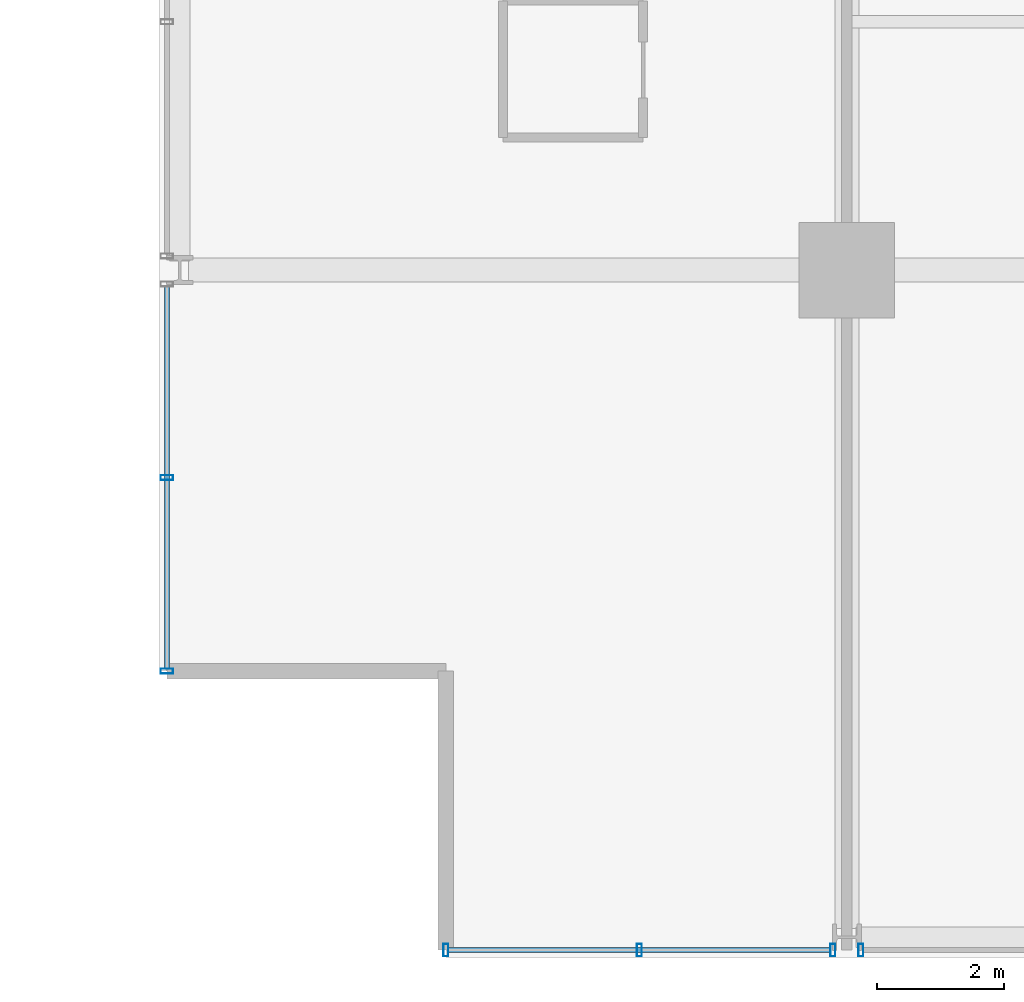
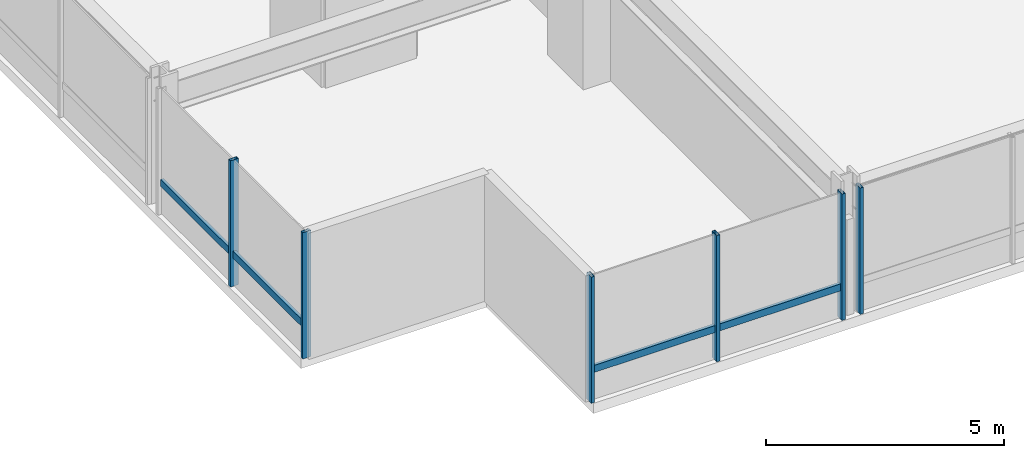
# One storey, part 2 of 33: 8 members, 3 elements without a shape of their own.
"""IFC4 building model written with IfcOpenShell, lengths in metres."""

import ifcopenshell
import ifcopenshell.guid

model = None  # the IFC model being written
_history = None  # IfcOwnerHistory: only IFC2X3 demands one
_inside = {}  # id of a spatial element -> (the spatial element, [elements in it])
_under = {}  # id of a project, library or spatial element -> (it, [spatial elements below it])
_declared = {}  # id of a project -> (the project, [libraries it declares])
_typed = {}  # id of a type object -> (the type object, [elements of that type])
_made_of = {}  # id of a material, layer set ... -> (it, [elements and type objects made of it])


def new_model(schema):
    """Start an empty IFC model of exactly this schema.

    Asked for "IFC4X3", IfcOpenShell would pick the latest addendum, in which some entities
    have other attributes; the version numbers below select the first issue.
    IFC2X3 requires an IfcOwnerHistory on every rooted entity: one is made here for all.
    """
    global model, _history
    if schema == "IFC4X3":
        model = ifcopenshell.file(schema_version=(4, 3, 0, 0))
    else:
        model = ifcopenshell.file(schema=schema)
    _inside.clear()
    _under.clear()
    _declared.clear()
    _typed.clear()
    _made_of.clear()
    _history = None
    if model.schema == "IFC2X3":
        org = make("IfcOrganization", Name="unknown")
        user = make(
            "IfcPersonAndOrganization",
            ThePerson=make("IfcPerson", FamilyName="unknown"),
            TheOrganization=org,
        )
        app = make(
            "IfcApplication",
            ApplicationDeveloper=org,
            Version="unknown",
            ApplicationFullName="unknown",
            ApplicationIdentifier="unknown",
        )
        _history = make(
            "IfcOwnerHistory",
            OwningUser=user,
            OwningApplication=app,
            ChangeAction="ADDED",
            CreationDate=0,
        )
    return model


def make(cls, **values):
    """One entity of the class cls with the attributes given. An attribute that is None is left unset."""
    return model.create_entity(
        cls, **{name: value for name, value in values.items() if value is not None}
    )


def rooted(cls, **values):
    """An entity with a GlobalId (a new one), such as an element, a storey or a relation."""
    return make(cls, GlobalId=ifcopenshell.guid.new(), OwnerHistory=_history, **values)


def si_unit(unit_type, name, prefix=None):
    """IfcSIUnit, for example si_unit("LENGTHUNIT", "METRE", prefix="MILLI")."""
    return make("IfcSIUnit", UnitType=unit_type, Prefix=prefix, Name=name)


def assignment(units):
    """IfcUnitAssignment: the units of a project."""
    return None if units is None else make("IfcUnitAssignment", Units=units)


def point(xyz):
    """IfcCartesianPoint."""
    return None if xyz is None else make("IfcCartesianPoint", Coordinates=xyz)


def direction(xyz):
    """IfcDirection."""
    return None if xyz is None else make("IfcDirection", DirectionRatios=xyz)


def frame(location, z_axis=None, x_axis=None):
    """IfcAxis2Placement3D, a coordinate frame: its origin and axes. An axis left out is left unset."""
    return make(
        "IfcAxis2Placement3D",
        Location=point(location),
        Axis=direction(z_axis),
        RefDirection=direction(x_axis),
    )


def frame_2d(location, x_axis=None):
    """IfcAxis2Placement2D, a coordinate frame in the plane: its origin and x axis."""
    return make(
        "IfcAxis2Placement2D", Location=point(location), RefDirection=direction(x_axis)
    )


def origin():
    """The frame at (0, 0, 0) with its axes left unset."""
    return frame((0.0, 0.0, 0.0))


def origin_2d():
    """The frame at (0, 0) in the plane with its x axis left unset."""
    return frame_2d((0.0, 0.0))


def place(relative_to, where):
    """IfcLocalPlacement: puts the frame where relative to a parent placement (None: the world)."""
    return make(
        "IfcLocalPlacement", PlacementRelTo=relative_to, RelativePlacement=where
    )


def context(
    kind, dimensions, precision=None, world=None, true_north=None, identifier=None
):
    """IfcGeometricRepresentationContext, for example the 3D "Model" context."""
    return make(
        "IfcGeometricRepresentationContext",
        ContextIdentifier=identifier,
        ContextType=kind,
        CoordinateSpaceDimension=dimensions,
        Precision=precision,
        WorldCoordinateSystem=world,
        TrueNorth=true_north,
    )


def subcontext(parent, identifier, kind, view, scale=None):
    """IfcGeometricRepresentationSubContext, for example "Body" below "Model"."""
    return make(
        "IfcGeometricRepresentationSubContext",
        ContextIdentifier=identifier,
        ContextType=kind,
        ParentContext=parent,
        TargetScale=scale,
        TargetView=view,
    )


def project(units=None, contexts=None):
    """IfcProject with its units and contexts."""
    return rooted(
        "IfcProject",
        Name="project",
        RepresentationContexts=contexts,
        UnitsInContext=assignment(units),
    )


def spatial(cls, under=None, at=None, **own):
    """A site, building, storey or space (cls), placed at a placement, below another one or the project."""
    s = rooted(cls, ObjectPlacement=at, **own)
    if under is not None:
        _under.setdefault(under.id(), (under, []))[1].append(s)
    return s


def profile(cls, at=None, kind="AREA", **sizes):
    """A parametric profile (cls). Its sizes go by their IFC names, for example OverallWidth=200.0."""
    return make(cls, ProfileType=kind, Position=at, **sizes)


def hollow_rectangle(**sizes):
    """IfcRectangleHollowProfileDef."""
    return profile("IfcRectangleHollowProfileDef", **sizes)


def extrude(swept, where, along, depth):
    """IfcExtrudedAreaSolid: the profile swept, set in the frame where, extruded along a direction by depth."""
    return make(
        "IfcExtrudedAreaSolid",
        SweptArea=swept,
        Position=where,
        ExtrudedDirection=direction(along),
        Depth=depth,
    )


def shape(context_of_items, identifier, shape_type, items):
    """IfcShapeRepresentation: the items that make up one representation, for example the "Body"."""
    return make(
        "IfcShapeRepresentation",
        ContextOfItems=context_of_items,
        RepresentationIdentifier=identifier,
        RepresentationType=shape_type,
        Items=items,
    )


def material(Name=None, Category=None):
    """IfcMaterial."""
    return make("IfcMaterial", Name=Name, Category=Category)


def layer(
    of_material, thickness, ventilated=None, Name=None, Category=None, Priority=None
):
    """IfcMaterialLayer: one layer of a wall or slab, of a material (None: an air gap)."""
    return make(
        "IfcMaterialLayer",
        Material=of_material,
        LayerThickness=thickness,
        IsVentilated=ventilated,
        Name=Name,
        Category=Category,
        Priority=Priority,
    )


def layer_set(layers, Name=None):
    """IfcMaterialLayerSet."""
    return make("IfcMaterialLayerSet", MaterialLayers=layers, LayerSetName=Name)


def material_profile(
    of_material, cross_section, Name=None, Category=None, Priority=None
):
    """IfcMaterialProfile: a cross section and its material."""
    return make(
        "IfcMaterialProfile",
        Name=Name,
        Material=of_material,
        Profile=cross_section,
        Priority=Priority,
        Category=Category,
    )


def profile_set(profiles, Name=None, composite=None):
    """IfcMaterialProfileSet."""
    return make(
        "IfcMaterialProfileSet",
        Name=Name,
        MaterialProfiles=profiles,
        CompositeProfile=composite,
    )


def made_of(thing, what):
    """Note that an element or type object is made of a material, layer set ...; save() writes the relation."""
    if what is not None:
        _made_of.setdefault(what.id(), (what, []))[1].append(thing)
    return thing


def type_object(cls, material=None, **own):
    """A type object (cls), such as IfcWallType, which elements share."""
    return made_of(rooted(cls, **own), material)


def element(
    cls,
    number,
    at=None,
    inside=None,
    cuts=None,
    type_object=None,
    material=None,
    context=None,
    identifier="Body",
    shape_type=None,
    held_by="IfcProductDefinitionShape",
    body=None,
    shapes=None,
    **own,
):
    """One element of the class cls, such as IfcWall. Its Tag is "e" and its number.

    at: its placement. inside: the storey or other place that contains it. cuts: it is an
    opening in that element (IfcRelVoidsElement). A single representation is given by context,
    identifier, shape_type and body (its items); several are given by shapes. held_by: the class
    of the entity that holds the representations. save() writes the other relations.
    """
    e = rooted(cls, Tag="e%d" % number, ObjectPlacement=at, **own)
    if body is not None:
        shapes = [shape(context, identifier, shape_type, body)]
    if shapes is not None:
        e.Representation = make(held_by, Representations=shapes)
    if inside is not None:
        _inside.setdefault(inside.id(), (inside, []))[1].append(e)
    if cuts is not None:
        rooted(
            "IfcRelVoidsElement", RelatingBuildingElement=cuts, RelatedOpeningElement=e
        )
    if type_object is not None:
        _typed.setdefault(type_object.id(), (type_object, []))[1].append(e)
    return made_of(e, material)


def aggregate(whole, parts):
    """IfcRelAggregates: a whole, such as a stair, and the parts it consists of."""
    return rooted("IfcRelAggregates", RelatingObject=whole, RelatedObjects=parts)


def save(model, path):
    """Write the relations noted so far, then the file.

    IfcRelAggregates (storeys below a building ...), IfcRelContainedInSpatialStructure (elements
    in a storey), IfcRelDefinesByType, IfcRelAssociatesMaterial and IfcRelDeclares: one each for
    every whole, place, type object, material and project.
    """
    for whole, parts in _under.values():
        aggregate(whole, parts)
    for where, things in _inside.values():
        rooted(
            "IfcRelContainedInSpatialStructure",
            RelatedElements=things,
            RelatingStructure=where,
        )
    for kind, things in _typed.values():
        rooted("IfcRelDefinesByType", RelatedObjects=things, RelatingType=kind)
    for what, things in _made_of.values():
        rooted("IfcRelAssociatesMaterial", RelatedObjects=things, RelatingMaterial=what)
    for by, libraries in _declared.values():
        rooted("IfcRelDeclares", RelatingContext=by, RelatedDefinitions=libraries)
    model.write(path)


model = new_model("IFC4")

# Units and contexts
model_context = context("Model", 3, precision=1e-05, world=origin(), true_north=direction((0.0, 1.0)))
body_context = subcontext(model_context, "Body", "Model", "MODEL_VIEW")
ifc_project = project(units=[si_unit("LENGTHUNIT", "METRE"), si_unit("AREAUNIT", "SQUARE_METRE"), si_unit("VOLUMEUNIT", "CUBIC_METRE"), si_unit("PLANEANGLEUNIT", "RADIAN"), si_unit("MASSUNIT", "GRAM", prefix="KILO")], contexts=[model_context])

# Site, building, storey
site_placement = place(None, origin())
site = spatial("IfcSite", under=ifc_project, at=site_placement, CompositionType="ELEMENT")
building_placement = place(site_placement, origin())
building = spatial("IfcBuilding", under=site, at=building_placement, Name="Drelvath Grand Hotel", CompositionType="ELEMENT")
storey_placement = place(building_placement, frame((0.0, 0.0, 105.800048828125)))
storey = spatial("IfcBuildingStorey", under=building, at=storey_placement, Name="L26", CompositionType="ELEMENT", Elevation=105.800048828125)

# Curtain wall, member
ifc_material = material(Name="Champagne Bronze Anodised Aluminium Frame", Category="aluminium")
ifc_layer = layer(ifc_material, 0.199951171875)
ifc_layer_set = layer_set([ifc_layer], Name="Champagne Bronze Anodised Aluminium Frame")
curtain_wall_type = type_object("IfcCurtainWallType", Name="Stick Curtain Wall CW-03 Champagne Bronze Mid-Rise", PredefinedType="NOTDEFINED", material=ifc_layer_set)
curtain_wall_1_placement = place(storey_placement, origin())
curtain_wall_1 = element("IfcCurtainWall", 1, at=curtain_wall_1_placement, inside=storey, type_object=curtain_wall_type, Name="L26 CW-03 Curtain Wall CW03-L26-WS1", PredefinedType="NOTDEFINED")
ifc_material_profile_1 = material_profile(ifc_material, hollow_rectangle(XDim=0.074951171875, YDim=0.179931640625, WallThickness=0.0048828125, at=origin_2d()), Name="HSS180X75X5")
ifc_profile_set_1 = profile_set([ifc_material_profile_1], Name="Champagne Bronze Anodised Aluminium Frame")
member_type_1 = type_object("IfcMemberType", Name="Curtain Wall Horizontal Transom CW-03 HSS180X75X5", PredefinedType="USERDEFINED", material=ifc_profile_set_1)
member_1_placement = place(storey_placement, frame((-26.8798828125, 4.5400390625, 0.81005859375), z_axis=(0.0, 1.0, 0.0), x_axis=(-1.0, 0.0, 0.0)))
member_1 = element("IfcMember", 2, at=member_1_placement, type_object=member_type_1, Name="CW03-L26-WS1 Sill Transom", ObjectType="TRANSOM", PredefinedType="USERDEFINED", context=body_context, shape_type="SweptSolid", body=[
    extrude(hollow_rectangle(XDim=0.074951171875, YDim=0.179931640625, WallThickness=0.0048828125, at=origin_2d()), origin(), (0.0, 0.0, 1.0), 6.000244140625),
])

curtain_wall_2_placement = place(storey_placement, origin())
curtain_wall_2 = element("IfcCurtainWall", 3, at=curtain_wall_2_placement, inside=storey, type_object=curtain_wall_type, Name="L26 CW-03 Curtain Wall CW03-L26-SW1", PredefinedType="NOTDEFINED")
member_2_placement = place(storey_placement, frame((-16.459716796875, 0.1201171875, 0.81005859375), z_axis=(-1.0, 0.0, 0.0), x_axis=(0.0, -1.0, 0.0)))
member_2 = element("IfcMember", 4, at=member_2_placement, type_object=member_type_1, Name="CW03-L26-SW1 Sill Transom", ObjectType="TRANSOM", PredefinedType="USERDEFINED", context=body_context, shape_type="SweptSolid", body=[
    extrude(hollow_rectangle(XDim=0.074951171875, YDim=0.179931640625, WallThickness=0.0048828125, at=origin_2d()), origin(), (0.0, 0.0, 1.0), 6.000244140625),
])

# Member
ifc_material_profile_2 = material_profile(ifc_material, hollow_rectangle(XDim=0.080078125, YDim=0.199951171875, WallThickness=0.0048828125, at=origin_2d()), Name="HSS200X80X5")
ifc_profile_set_2 = profile_set([ifc_material_profile_2], Name="Champagne Bronze Anodised Aluminium Frame")
member_type_2 = type_object("IfcMemberType", Name="Curtain Wall Vertical Mullion CW-03 HSS200X80X5", PredefinedType="MULLION", material=ifc_profile_set_2)
member_3_placement = place(storey_placement, frame((-26.8798828125, 4.5, 0.0), z_axis=(0.0, 0.0, 1.0), x_axis=(0.0, 1.0, 0.0)))
member_3 = element("IfcMember", 5, at=member_3_placement, type_object=member_type_2, Name="CW03-L26-WS1 Mullion 1", PredefinedType="MULLION", context=body_context, shape_type="SweptSolid", body=[
    extrude(hollow_rectangle(XDim=0.080078125, YDim=0.199951171875, WallThickness=0.0048828125, at=origin_2d()), origin(), (0.0, 0.0, 1.0), 3.239990234375),
])

member_4_placement = place(storey_placement, frame((-26.8798828125, 7.540283203125, 0.0), z_axis=(0.0, 0.0, 1.0), x_axis=(0.0, 1.0, 0.0)))
member_4 = element("IfcMember", 6, at=member_4_placement, type_object=member_type_2, Name="CW03-L26-WS1 Mullion 2", PredefinedType="MULLION", context=body_context, shape_type="SweptSolid", body=[
    extrude(hollow_rectangle(XDim=0.080078125, YDim=0.199951171875, WallThickness=0.0048828125, at=origin_2d()), origin(), (0.0, 0.0, 1.0), 3.239990234375),
])

aggregate(curtain_wall_1, [member_3, member_4, member_1])

member_5_placement = place(storey_placement, frame((-16.419677734375, 0.1201171875, 0.0), z_axis=(0.0, 0.0, 1.0), x_axis=(1.0, 0.0, 0.0)))
member_5 = element("IfcMember", 7, at=member_5_placement, type_object=member_type_2, Name="CW03-L26-SW1 Mullion 1", PredefinedType="MULLION", context=body_context, shape_type="SweptSolid", body=[
    extrude(hollow_rectangle(XDim=0.080078125, YDim=0.199951171875, WallThickness=0.0048828125, at=origin_2d()), origin(), (0.0, 0.0, 1.0), 3.239990234375),
])

member_6_placement = place(storey_placement, frame((-19.459716796875, 0.1201171875, 0.0), z_axis=(0.0, 0.0, 1.0), x_axis=(1.0, 0.0, 0.0)))
member_6 = element("IfcMember", 8, at=member_6_placement, type_object=member_type_2, Name="CW03-L26-SW1 Mullion 2", PredefinedType="MULLION", context=body_context, shape_type="SweptSolid", body=[
    extrude(hollow_rectangle(XDim=0.080078125, YDim=0.199951171875, WallThickness=0.0048828125, at=origin_2d()), origin(), (0.0, 0.0, 1.0), 3.239990234375),
])

member_7_placement = place(storey_placement, frame((-22.5, 0.1201171875, 0.0), z_axis=(0.0, 0.0, 1.0), x_axis=(1.0, 0.0, 0.0)))
member_7 = element("IfcMember", 9, at=member_7_placement, type_object=member_type_2, Name="CW03-L26-SW1 Mullion 3", PredefinedType="MULLION", context=body_context, shape_type="SweptSolid", body=[
    extrude(hollow_rectangle(XDim=0.080078125, YDim=0.199951171875, WallThickness=0.0048828125, at=origin_2d()), origin(), (0.0, 0.0, 1.0), 3.239990234375),
])

aggregate(curtain_wall_2, [member_5, member_6, member_7, member_2])

# Curtain wall, member
curtain_wall_3_placement = place(storey_placement, origin())
curtain_wall_3 = element("IfcCurtainWall", 10, at=curtain_wall_3_placement, inside=storey, type_object=curtain_wall_type, Name="L26 CW-03 Curtain Wall CW03-L26-SW2", PredefinedType="NOTDEFINED")
member_8_placement = place(storey_placement, frame((-15.98046875, 0.1201171875, 0.0), z_axis=(0.0, 0.0, 1.0), x_axis=(1.0, 0.0, 0.0)))
member_8 = element("IfcMember", 11, at=member_8_placement, type_object=member_type_2, Name="CW03-L26-SW2 Mullion 3", PredefinedType="MULLION", context=body_context, shape_type="SweptSolid", body=[
    extrude(hollow_rectangle(XDim=0.080078125, YDim=0.199951171875, WallThickness=0.0048828125, at=origin_2d()), origin(), (0.0, 0.0, 1.0), 3.239990234375),
])
aggregate(curtain_wall_3, [member_8])

save(model, "model.ifc")
